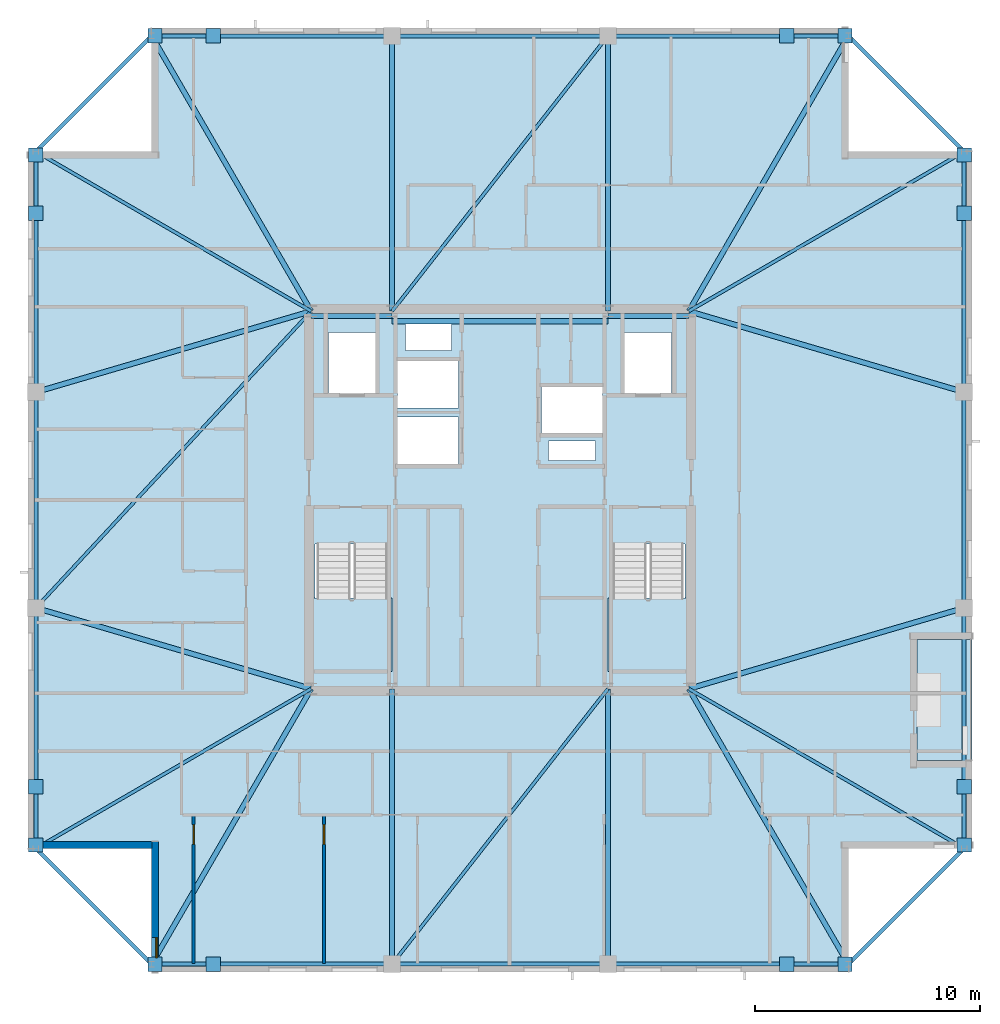
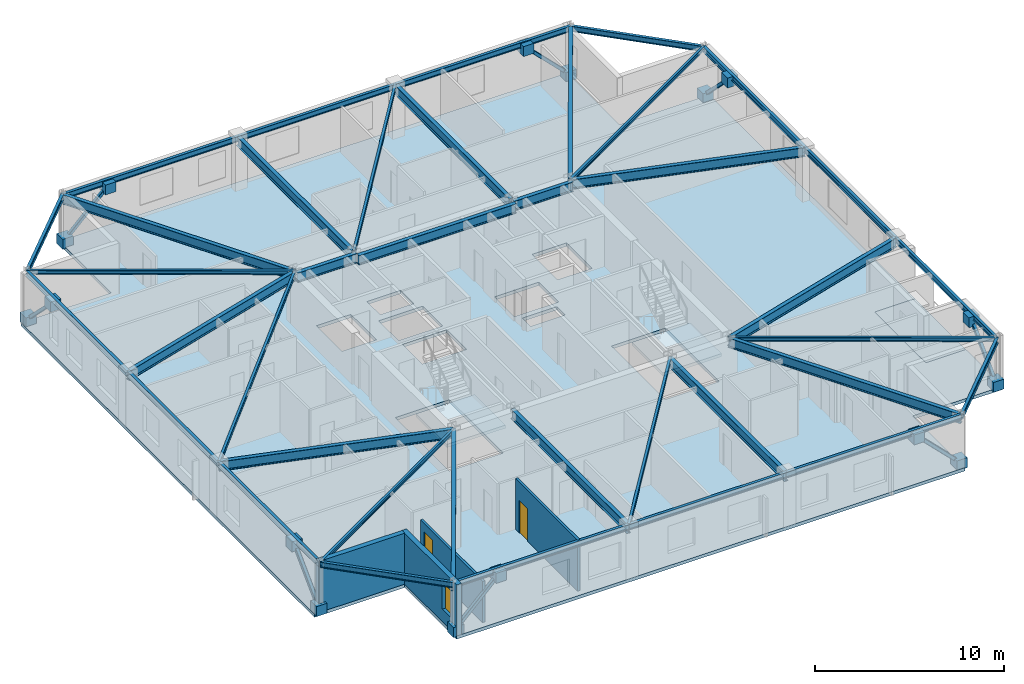
# One storey, part 6 of 14: 38 beams, 16 plates, 8 members, 4 slabs, 4 walls, 2 doors, 1 window, 3 openings, 2 elements without a shape of their own.
"""IFC4 building model written with IfcOpenShell, lengths in metres."""

from ifc_helpers import new_model, si_unit, direction, frame, frame_2d, origin, origin_2d, place, context, subcontext, project, spatial, polyline, rectangle, hollow_rectangle, i_section, outline, extrude, material, layer, layer_set, material_profile, profile_set, type_object, element, fill, aggregate, save


model = new_model("IFC4")

# Units and contexts
model_context = context("Model", 3, precision=1e-05, world=origin(), true_north=direction((0.0, 1.0)))
body_context = subcontext(model_context, "Body", "Model", "MODEL_VIEW")
ifc_project = project(units=[si_unit("LENGTHUNIT", "METRE"), si_unit("AREAUNIT", "SQUARE_METRE"), si_unit("VOLUMEUNIT", "CUBIC_METRE"), si_unit("PLANEANGLEUNIT", "RADIAN"), si_unit("MASSUNIT", "GRAM", prefix="KILO")], contexts=[model_context])

# Site, building, storey
site_placement = place(None, origin())
site = spatial("IfcSite", under=ifc_project, at=site_placement, CompositionType="ELEMENT")
building_placement = place(site_placement, origin())
building = spatial("IfcBuilding", under=site, at=building_placement, Name="Cairnveth Concourse Tower", CompositionType="ELEMENT")
storey_placement = place(building_placement, frame((0.0, 0.0, 294.5)))
storey = spatial("IfcBuildingStorey", under=building, at=storey_placement, Name="L81", CompositionType="ELEMENT", Elevation=294.5)

# Beams
ifc_material_1 = material(Name="Steel Grade 350", Category="steel")
ifc_material_profile_1 = material_profile(ifc_material_1, i_section(OverallWidth=0.22802734375, OverallDepth=0.60693359375, WebThickness=0.01123046875, FlangeThickness=0.017333984375, FilletRadius=0.013916015625, at=origin_2d()), Name="610UB113")
ifc_profile_set_1 = profile_set([ifc_material_profile_1], Name="Steel Grade 350")
beam_type_1 = type_object("IfcBeamType", Name="CORE TIE BEAM 610UB113", PredefinedType="T_BEAM", material=ifc_profile_set_1)
for number, where, z_axis, x_axis, name in (
    (1, (43.60009765625, 47.179931640625, 2.986572265625), (1.0, 0.0, 0.0), (0.0, 1.0, 0.0), "Beam CT-N1 L81"),
    (2, (56.800048828125, 47.179931640625, 2.986572265625), (1.0, 0.0, 0.0), (0.0, 1.0, 0.0), "Beam CT-N3 L81"),
):
    element("IfcBeam", number, at=place(storey_placement, frame(where, z_axis=z_axis, x_axis=x_axis)), inside=storey, type_object=beam_type_1, Name=name, PredefinedType="T_BEAM", context=body_context, shape_type="SweptSolid", body=[
        extrude(i_section(OverallWidth=0.22802734375, OverallDepth=0.60693359375, WebThickness=0.01123046875, FlangeThickness=0.017333984375, FilletRadius=0.013916015625, at=origin_2d()), origin(), (0.0, 0.0, 1.0), 3.599853515625),
    ])
beam_1_placement = place(storey_placement, frame((47.199951171875, 46.949951171875, 2.986572265625), z_axis=(1.0, 0.0, 0.0), x_axis=(0.0, 1.0, 0.0)))
element("IfcBeam", 3, at=beam_1_placement, inside=storey, type_object=beam_type_1, Name="Beam CT-N2 L81", PredefinedType="T_BEAM", context=body_context, shape_type="SweptSolid", body=[
    extrude(i_section(OverallWidth=0.22802734375, OverallDepth=0.60693359375, WebThickness=0.01123046875, FlangeThickness=0.017333984375, FilletRadius=0.013916015625, at=origin_2d()), origin(), (0.0, 0.0, 1.0), 9.60009765625),
])
ifc_material_profile_2 = material_profile(ifc_material_1, i_section(OverallWidth=0.14599609375, OverallDepth=0.256103515625, WebThickness=0.00634765625, FlangeThickness=0.010986328125, FilletRadius=0.009033203125, at=origin_2d()), Name="250UB37.3")
ifc_profile_set_2 = profile_set([ifc_material_profile_2], Name="Steel Grade 350")
beam_type_2 = type_object("IfcBeamType", Name="ZONE 4 FLOOR JOIST 250UB37.3", PredefinedType="JOIST", material=ifc_profile_set_2)
for number, where, z_axis, x_axis, name in (
    (4, (31.35009765625, 23.5, 3.162109375), (0.86518141842, 0.501458984584, 0.0), (-0.501458984584, 0.86518141842, 0.0), "Beam FJ-CSW2 L81"),
    (5, (72.64990234375, 23.5, 3.162109375), (-0.86518141842, 0.501458984584, 0.0), (-0.501458984584, -0.86518141842, 0.0), "Beam FJ-CSE2 L81"),
    (6, (72.64990234375, 54.5, 3.162109375), (-0.86518141842, -0.501458984584, 0.0), (0.501458984584, -0.86518141842, 0.0), "Beam FJ-CNE2 L81"),
    (7, (31.35009765625, 54.5, 3.162109375), (0.86518141842, -0.501458984584, 0.0), (0.501458984584, 0.86518141842, 0.0), "Beam FJ-CNW2 L81"),
):
    element("IfcBeam", number, at=place(storey_placement, frame(where, z_axis=z_axis, x_axis=x_axis)), inside=storey, type_object=beam_type_2, Name=name, PredefinedType="JOIST", context=body_context, shape_type="SweptSolid", body=[
        extrude(i_section(OverallWidth=0.14599609375, OverallDepth=0.256103515625, WebThickness=0.00634765625, FlangeThickness=0.010986328125, FilletRadius=0.009033203125, at=origin_2d()), origin(), (0.0, 0.0, 1.0), 14.158935546875),
    ])
for number, where, z_axis, x_axis, name in (
    (8, (47.199951171875, 18.35009765625, 3.162109375), (0.616831762718, 0.787095023807, 0.0), (-0.787095023807, 0.616831762718, 0.0), "Beam FJ-S-M1 L81"),
    (9, (47.199951171875, 47.39990234375, 3.162109375), (0.616831762718, 0.787095023807, 0.0), (-0.787095023807, 0.616831762718, 0.0), "Beam FJ-N-M1 L81"),
):
    element("IfcBeam", number, at=place(storey_placement, frame(where, z_axis=z_axis, x_axis=x_axis)), inside=storey, type_object=beam_type_2, Name=name, PredefinedType="JOIST", context=body_context, shape_type="SweptSolid", body=[
        extrude(i_section(OverallWidth=0.14599609375, OverallDepth=0.256103515625, WebThickness=0.00634765625, FlangeThickness=0.010986328125, FilletRadius=0.009033203125, at=origin_2d()), origin(), (0.0, 0.0, 1.0), 15.5634765625),
    ])
beam_2_placement = place(storey_placement, frame((31.35009765625, 34.199951171875, 3.162109375), z_axis=(0.680239432161, 0.732989982833, 0.0), x_axis=(-0.732989982833, 0.680239432161, 0.0)))
element("IfcBeam", 10, at=beam_2_placement, inside=storey, type_object=beam_type_2, Name="Beam FJ-W-M1 L81", PredefinedType="JOIST", context=body_context, shape_type="SweptSolid", body=[
    extrude(i_section(OverallWidth=0.14599609375, OverallDepth=0.256103515625, WebThickness=0.00634765625, FlangeThickness=0.010986328125, FilletRadius=0.009033203125, at=origin_2d()), origin(), (0.0, 0.0, 1.0), 18.00830078125),
])

# Members
ifc_material_2 = material(Name="Steel C350L0 (350 MPa)", Category="steel")
ifc_material_profile_3 = material_profile(ifc_material_2, hollow_rectangle(XDim=0.199951171875, YDim=0.199951171875, WallThickness=0.012451171875, InnerFilletRadius=0.012939453125, OuterFilletRadius=0.02490234375, at=origin_2d()), Name="200x200x12.5SHS")
ifc_profile_set_3 = profile_set([ifc_material_profile_3], Name="Steel C350L0 (350 MPa)")
member_type = type_object("IfcMemberType", Name="ZONE 4 PIER BRACE 200X200X12.5SHS", PredefinedType="BRACE", material=ifc_profile_set_3)
for number, where, z_axis, x_axis, name in (
    (11, (36.64990234375, 18.35009765625, 0.25), (0.708469186186, 0.0, 0.705741746126), (0.0, 1.0, 0.0), "Structural Brace PB-S1 L81"),
    (12, (67.35009765625, 18.35009765625, 0.25), (-0.708469186186, 0.0, 0.705741746126), (0.0, -1.0, 0.0), "Structural Brace PB-S2 L81"),
    (13, (36.64990234375, 59.64990234375, 0.25), (0.708469186186, 0.0, 0.705741746126), (0.0, 1.0, 0.0), "Structural Brace PB-N1 L81"),
    (14, (67.35009765625, 59.64990234375, 0.25), (-0.708469186186, 0.0, 0.705741746126), (0.0, -1.0, 0.0), "Structural Brace PB-N2 L81"),
    (15, (31.35009765625, 23.64990234375, 0.25), (0.0, 0.708469186186, 0.705741746126), (-1.0, 0.0, 0.0), "Structural Brace PB-W1 L81"),
    (16, (31.35009765625, 54.35009765625, 0.25), (0.0, -0.708469186186, 0.705741746126), (1.0, 0.0, 0.0), "Structural Brace PB-W2 L81"),
    (17, (72.64990234375, 23.64990234375, 0.25), (0.0, 0.708469186186, 0.705741746126), (-1.0, 0.0, 0.0), "Structural Brace PB-E1 L81"),
    (18, (72.64990234375, 54.35009765625, 0.25), (0.0, -0.708469186186, 0.705741746126), (1.0, 0.0, 0.0), "Structural Brace PB-E2 L81"),
):
    element("IfcMember", number, at=place(storey_placement, frame(where, z_axis=z_axis, x_axis=x_axis)), inside=storey, type_object=member_type, Name=name, PredefinedType="BRACE", context=body_context, shape_type="SweptSolid", body=[
        extrude(hollow_rectangle(XDim=0.199951171875, YDim=0.199951171875, WallThickness=0.012451171875, InnerFilletRadius=0.012939453125, OuterFilletRadius=0.02490234375, at=origin_2d()), origin(), (0.0, 0.0, 1.0), 3.669921875),
    ])

# Beams
ifc_material_profile_4 = material_profile(ifc_material_1, i_section(OverallWidth=0.22900390625, OverallDepth=0.612060546875, WebThickness=0.011962890625, FlangeThickness=0.01953125, FilletRadius=0.013916015625, at=origin_2d()), Name="610UB125")
ifc_profile_set_4 = profile_set([ifc_material_profile_4], Name="Steel Grade 350")
beam_type_3 = type_object("IfcBeamType", Name="ZONE 4 RADIAL GIRDER 610UB125", PredefinedType="BEAM", material=ifc_profile_set_4)
for number, where, z_axis, x_axis, name in (
    (19, (47.199951171875, 18.35009765625, 2.98388671875), (0.0, 1.0, 0.0), (-1.0, 0.0, 0.0), "Beam RG-S1 L81"),
    (20, (56.800048828125, 18.35009765625, 2.98388671875), (0.0, 1.0, 0.0), (-1.0, 0.0, 0.0), "Beam RG-S2 L81"),
    (21, (47.199951171875, 47.39990234375, 2.98388671875), (0.0, 1.0, 0.0), (-1.0, 0.0, 0.0), "Beam RG-N1 L81"),
    (22, (56.800048828125, 47.39990234375, 2.98388671875), (0.0, 1.0, 0.0), (-1.0, 0.0, 0.0), "Beam RG-N2 L81"),
):
    element("IfcBeam", number, at=place(storey_placement, frame(where, z_axis=z_axis, x_axis=x_axis)), inside=storey, type_object=beam_type_3, Name=name, PredefinedType="BEAM", context=body_context, shape_type="SweptSolid", body=[
        extrude(i_section(OverallWidth=0.22900390625, OverallDepth=0.612060546875, WebThickness=0.011962890625, FlangeThickness=0.01953125, FilletRadius=0.013916015625, at=origin_2d()), origin(), (0.0, 0.0, 1.0), 12.25),
    ])
for number, where, z_axis, x_axis, name in (
    (23, (31.35009765625, 34.199951171875, 2.98388671875), (0.959430938842, -0.281943741893, 0.0), (0.281943741893, 0.959430938842, 0.0), "Beam RG-W1 L81"),
    (24, (31.35009765625, 43.800048828125, 2.98388671875), (0.959430938842, 0.281943741893, 0.0), (-0.281943741893, 0.959430938842, 0.0), "Beam RG-W2 L81"),
    (25, (60.39990234375, 30.60009765625, 2.98388671875), (0.959430938842, 0.281943741893, 0.0), (-0.281943741893, 0.959430938842, 0.0), "Beam RG-E1 L81"),
    (26, (60.39990234375, 47.39990234375, 2.98388671875), (0.959430938842, -0.281943741893, 0.0), (0.281943741893, 0.959430938842, 0.0), "Beam RG-E2 L81"),
):
    element("IfcBeam", number, at=place(storey_placement, frame(where, z_axis=z_axis, x_axis=x_axis)), inside=storey, type_object=beam_type_3, Name=name, PredefinedType="BEAM", context=body_context, shape_type="SweptSolid", body=[
        extrude(i_section(OverallWidth=0.22900390625, OverallDepth=0.612060546875, WebThickness=0.011962890625, FlangeThickness=0.01953125, FilletRadius=0.013916015625, at=origin_2d()), origin(), (0.0, 0.0, 1.0), 12.76806640625),
    ])
for number, where, z_axis, x_axis, name in (
    (27, (36.5, 18.35009765625, 2.98388671875), (0.501458984584, 0.86518141842, 0.0), (-0.86518141842, 0.501458984584, 0.0), "Beam RG-CSW L81"),
    (28, (67.5, 18.35009765625, 2.98388671875), (-0.501458984584, 0.86518141842, 0.0), (-0.86518141842, -0.501458984584, 0.0), "Beam RG-CSE L81"),
    (29, (67.5, 59.64990234375, 2.98388671875), (-0.501458984584, -0.86518141842, 0.0), (0.86518141842, -0.501458984584, 0.0), "Beam RG-CNE L81"),
    (30, (36.5, 59.64990234375, 2.98388671875), (0.501458984584, -0.86518141842, 0.0), (0.86518141842, 0.501458984584, 0.0), "Beam RG-CNW L81"),
):
    element("IfcBeam", number, at=place(storey_placement, frame(where, z_axis=z_axis, x_axis=x_axis)), inside=storey, type_object=beam_type_3, Name=name, PredefinedType="BEAM", context=body_context, shape_type="SweptSolid", body=[
        extrude(i_section(OverallWidth=0.22900390625, OverallDepth=0.612060546875, WebThickness=0.011962890625, FlangeThickness=0.01953125, FilletRadius=0.013916015625, at=origin_2d()), origin(), (0.0, 0.0, 1.0), 14.158935546875),
    ])
ifc_material_profile_5 = material_profile(ifc_material_1, i_section(OverallWidth=0.172119140625, OverallDepth=0.35888671875, WebThickness=0.008056640625, FlangeThickness=0.012939453125, FilletRadius=0.010986328125, at=origin_2d()), Name="360UB56.7")
ifc_profile_set_5 = profile_set([ifc_material_profile_5], Name="Steel Grade 350")
beam_type_4 = type_object("IfcBeamType", Name="ZONE 4 SPANDREL BEAM 360UB56.7", PredefinedType="SPANDREL", material=ifc_profile_set_5)
beam_3_placement = place(storey_placement, frame((36.5, 18.35009765625, 3.110595703125), z_axis=(1.0, 0.0, 0.0), x_axis=(0.0, 1.0, 0.0)))
element("IfcBeam", 31, at=beam_3_placement, inside=storey, type_object=beam_type_4, Name="Beam SP-S1 L81", PredefinedType="SPANDREL", context=body_context, shape_type="SweptSolid", body=[
    extrude(i_section(OverallWidth=0.172119140625, OverallDepth=0.35888671875, WebThickness=0.008056640625, FlangeThickness=0.012939453125, FilletRadius=0.010986328125, at=origin_2d()), origin(), (0.0, 0.0, 1.0), 10.699951171875),
])
beam_4_placement = place(storey_placement, frame((47.199951171875, 18.35009765625, 3.110595703125), z_axis=(1.0, 0.0, 0.0), x_axis=(0.0, 1.0, 0.0)))
element("IfcBeam", 32, at=beam_4_placement, inside=storey, type_object=beam_type_4, Name="Beam SP-S2 L81", PredefinedType="SPANDREL", context=body_context, shape_type="SweptSolid", body=[
    extrude(i_section(OverallWidth=0.172119140625, OverallDepth=0.35888671875, WebThickness=0.008056640625, FlangeThickness=0.012939453125, FilletRadius=0.010986328125, at=origin_2d()), origin(), (0.0, 0.0, 1.0), 9.60009765625),
])
for number, where, z_axis, x_axis, name in (
    (33, (56.800048828125, 18.35009765625, 3.110595703125), (1.0, 0.0, 0.0), (0.0, 1.0, 0.0), "Beam SP-S3 L81"),
    (34, (36.5, 59.64990234375, 3.110595703125), (1.0, 0.0, 0.0), (0.0, 1.0, 0.0), "Beam SP-N1 L81"),
):
    element("IfcBeam", number, at=place(storey_placement, frame(where, z_axis=z_axis, x_axis=x_axis)), inside=storey, type_object=beam_type_4, Name=name, PredefinedType="SPANDREL", context=body_context, shape_type="SweptSolid", body=[
        extrude(i_section(OverallWidth=0.172119140625, OverallDepth=0.35888671875, WebThickness=0.008056640625, FlangeThickness=0.012939453125, FilletRadius=0.010986328125, at=origin_2d()), origin(), (0.0, 0.0, 1.0), 10.699951171875),
    ])
beam_5_placement = place(storey_placement, frame((47.199951171875, 59.64990234375, 3.110595703125), z_axis=(1.0, 0.0, 0.0), x_axis=(0.0, 1.0, 0.0)))
element("IfcBeam", 35, at=beam_5_placement, inside=storey, type_object=beam_type_4, Name="Beam SP-N2 L81", PredefinedType="SPANDREL", context=body_context, shape_type="SweptSolid", body=[
    extrude(i_section(OverallWidth=0.172119140625, OverallDepth=0.35888671875, WebThickness=0.008056640625, FlangeThickness=0.012939453125, FilletRadius=0.010986328125, at=origin_2d()), origin(), (0.0, 0.0, 1.0), 9.60009765625),
])
for number, where, z_axis, x_axis, name in (
    (36, (56.800048828125, 59.64990234375, 3.110595703125), (1.0, 0.0, 0.0), (0.0, 1.0, 0.0), "Beam SP-N3 L81"),
    (37, (31.35009765625, 23.5, 3.110595703125), (0.0, 1.0, 0.0), (-1.0, 0.0, 0.0), "Beam SP-W1 L81"),
):
    element("IfcBeam", number, at=place(storey_placement, frame(where, z_axis=z_axis, x_axis=x_axis)), inside=storey, type_object=beam_type_4, Name=name, PredefinedType="SPANDREL", context=body_context, shape_type="SweptSolid", body=[
        extrude(i_section(OverallWidth=0.172119140625, OverallDepth=0.35888671875, WebThickness=0.008056640625, FlangeThickness=0.012939453125, FilletRadius=0.010986328125, at=origin_2d()), origin(), (0.0, 0.0, 1.0), 10.699951171875),
    ])
beam_6_placement = place(storey_placement, frame((31.35009765625, 34.199951171875, 3.110595703125), z_axis=(0.0, 1.0, 0.0), x_axis=(-1.0, 0.0, 0.0)))
element("IfcBeam", 38, at=beam_6_placement, inside=storey, type_object=beam_type_4, Name="Beam SP-W2 L81", PredefinedType="SPANDREL", context=body_context, shape_type="SweptSolid", body=[
    extrude(i_section(OverallWidth=0.172119140625, OverallDepth=0.35888671875, WebThickness=0.008056640625, FlangeThickness=0.012939453125, FilletRadius=0.010986328125, at=origin_2d()), origin(), (0.0, 0.0, 1.0), 9.60009765625),
])
for number, where, z_axis, x_axis, name in (
    (39, (31.35009765625, 43.800048828125, 3.110595703125), (0.0, 1.0, 0.0), (-1.0, 0.0, 0.0), "Beam SP-W3 L81"),
    (40, (72.64990234375, 23.5, 3.110595703125), (0.0, 1.0, 0.0), (-1.0, 0.0, 0.0), "Beam SP-E1 L81"),
):
    element("IfcBeam", number, at=place(storey_placement, frame(where, z_axis=z_axis, x_axis=x_axis)), inside=storey, type_object=beam_type_4, Name=name, PredefinedType="SPANDREL", context=body_context, shape_type="SweptSolid", body=[
        extrude(i_section(OverallWidth=0.172119140625, OverallDepth=0.35888671875, WebThickness=0.008056640625, FlangeThickness=0.012939453125, FilletRadius=0.010986328125, at=origin_2d()), origin(), (0.0, 0.0, 1.0), 10.699951171875),
    ])
beam_7_placement = place(storey_placement, frame((72.64990234375, 34.199951171875, 3.110595703125), z_axis=(0.0, 1.0, 0.0), x_axis=(-1.0, 0.0, 0.0)))
element("IfcBeam", 41, at=beam_7_placement, inside=storey, type_object=beam_type_4, Name="Beam SP-E2 L81", PredefinedType="SPANDREL", context=body_context, shape_type="SweptSolid", body=[
    extrude(i_section(OverallWidth=0.172119140625, OverallDepth=0.35888671875, WebThickness=0.008056640625, FlangeThickness=0.012939453125, FilletRadius=0.010986328125, at=origin_2d()), origin(), (0.0, 0.0, 1.0), 9.60009765625),
])
beam_8_placement = place(storey_placement, frame((72.64990234375, 43.800048828125, 3.110595703125), z_axis=(0.0, 1.0, 0.0), x_axis=(-1.0, 0.0, 0.0)))
element("IfcBeam", 42, at=beam_8_placement, inside=storey, type_object=beam_type_4, Name="Beam SP-E3 L81", PredefinedType="SPANDREL", context=body_context, shape_type="SweptSolid", body=[
    extrude(i_section(OverallWidth=0.172119140625, OverallDepth=0.35888671875, WebThickness=0.008056640625, FlangeThickness=0.012939453125, FilletRadius=0.010986328125, at=origin_2d()), origin(), (0.0, 0.0, 1.0), 10.699951171875),
])
for number, where, z_axis, x_axis, name in (
    (43, (31.35009765625, 23.5, 3.110595703125), (0.707106781187, -0.707106781187, 0.0), (0.707106781187, 0.707106781187, 0.0), "Beam SP-SW L81"),
    (44, (67.5, 18.35009765625, 3.110595703125), (0.707106781187, 0.707106781187, 0.0), (-0.707106781187, 0.707106781187, 0.0), "Beam SP-SE L81"),
    (45, (67.5, 59.64990234375, 3.110595703125), (0.707106781187, -0.707106781187, 0.0), (0.707106781187, 0.707106781187, 0.0), "Beam SP-NE L81"),
    (46, (31.35009765625, 54.5, 3.110595703125), (0.707106781187, 0.707106781187, 0.0), (-0.707106781187, 0.707106781187, 0.0), "Beam SP-NW L81"),
):
    element("IfcBeam", number, at=place(storey_placement, frame(where, z_axis=z_axis, x_axis=x_axis)), inside=storey, type_object=beam_type_4, Name=name, PredefinedType="SPANDREL", context=body_context, shape_type="SweptSolid", body=[
        extrude(i_section(OverallWidth=0.172119140625, OverallDepth=0.35888671875, WebThickness=0.008056640625, FlangeThickness=0.012939453125, FilletRadius=0.010986328125, at=origin_2d()), origin(), (0.0, 0.0, 1.0), 7.282958984375),
    ])

# Plates
ifc_layer_1 = layer(ifc_material_1, 0.031982421875)
ifc_layer_set_1 = layer_set([ifc_layer_1], Name="Steel Grade 350")
plate_type = type_object("IfcPlateType", Name="PERIMETER BRACE GUSSET PLATE 32", PredefinedType="USERDEFINED", material=ifc_layer_set_1)
for number, where, z_axis, x_axis, name in (
    (47, (36.64990234375, 18.35009765625, -0.06982421875), (0.0, 0.0, 1.0), (1.0, 0.0, 0.0), "Structural Node Plate 1433 L81"),
    (48, (39.25, 18.35009765625, 2.52001953125), (0.0, 0.0, 1.0), (1.0, 0.0, 0.0), "Structural Node Plate 1434 L81"),
    (49, (67.35009765625, 18.35009765625, -0.06982421875), (0.0, 0.0, 1.0), (1.0, 0.0, 0.0), "Structural Node Plate 1435 L81"),
    (50, (64.75, 18.35009765625, 2.52001953125), (0.0, 0.0, 1.0), (1.0, 0.0, 0.0), "Structural Node Plate 1436 L81"),
    (51, (36.64990234375, 59.64990234375, -0.06982421875), (0.0, 0.0, 1.0), (1.0, 0.0, 0.0), "Structural Node Plate 1437 L81"),
    (52, (39.25, 59.64990234375, 2.52001953125), (0.0, 0.0, 1.0), (1.0, 0.0, 0.0), "Structural Node Plate 1438 L81"),
    (53, (67.35009765625, 59.64990234375, -0.06982421875), (0.0, 0.0, 1.0), (1.0, 0.0, 0.0), "Structural Node Plate 1439 L81"),
    (54, (64.75, 59.64990234375, 2.52001953125), (0.0, 0.0, 1.0), (1.0, 0.0, 0.0), "Structural Node Plate 1440 L81"),
    (55, (31.35009765625, 23.64990234375, -0.06982421875), (0.0, 0.0, 1.0), (1.0, 0.0, 0.0), "Structural Node Plate 1441 L81"),
    (56, (31.35009765625, 26.25, 2.52001953125), (0.0, 0.0, 1.0), (1.0, 0.0, 0.0), "Structural Node Plate 1442 L81"),
    (57, (31.35009765625, 54.35009765625, -0.06982421875), (0.0, 0.0, 1.0), (1.0, 0.0, 0.0), "Structural Node Plate 1443 L81"),
    (58, (31.35009765625, 51.75, 2.52001953125), (0.0, 0.0, 1.0), (1.0, 0.0, 0.0), "Structural Node Plate 1444 L81"),
    (59, (72.64990234375, 23.64990234375, -0.06982421875), (0.0, 0.0, 1.0), (1.0, 0.0, 0.0), "Structural Node Plate 1445 L81"),
    (60, (72.64990234375, 26.25, 2.52001953125), (0.0, 0.0, 1.0), (1.0, 0.0, 0.0), "Structural Node Plate 1446 L81"),
    (61, (72.64990234375, 54.35009765625, -0.06982421875), (0.0, 0.0, 1.0), (1.0, 0.0, 0.0), "Structural Node Plate 1447 L81"),
    (62, (72.64990234375, 51.75, 2.52001953125), (0.0, 0.0, 1.0), (1.0, 0.0, 0.0), "Structural Node Plate 1448 L81"),
):
    element("IfcPlate", number, at=place(storey_placement, frame(where, z_axis=z_axis, x_axis=x_axis)), inside=storey, type_object=plate_type, Name=name, ObjectType="GUSSET PLATE", PredefinedType="USERDEFINED", context=body_context, shape_type="SweptSolid", body=[
        extrude(rectangle(XDim=0.639892578125, YDim=0.639892578125, at=origin_2d()), origin(), (0.0, 0.0, 1.0), 0.639892578125),
    ])

# Slab
ifc_material_3 = material(Name="Concrete N50 (50 MPa)", Category="concrete")
ifc_layer_2 = layer(ifc_material_3, 0.18994140625)
ifc_layer_set_2 = layer_set([ifc_layer_2], Name="Concrete N50 (50 MPa)")
slab_type_1 = type_object("IfcSlabType", Name="SPIRAL OUTDOOR TERRACE SLAB 190", PredefinedType="FLOOR", material=ifc_layer_set_2)
slab_1_placement = place(storey_placement, frame((0.0, 0.0, -0.18994140625)))
element("IfcSlab", 63, at=slab_1_placement, inside=storey, type_object=slab_type_1, Name="Spiral Terrace Slab L81", PredefinedType="FLOOR", context=body_context, shape_type="SweptSolid", body=[
    extrude(outline(polyline([(70.550048828125, 27.39990234375), (73.0, 27.39990234375), (73.0, 32.800048828125), (70.550048828125, 32.800048828125), (70.550048828125, 27.39990234375)])), origin(), (0.0, 0.0, 1.0), 0.18994140625),
])

# Stair, slab
ifc_material_4 = material(Name="Precast concrete N50 (50 MPa)", Category="concrete")
stair_type = type_object("IfcStairType", Name="CORE DOG-LEG FIRE STAIR 1500", PredefinedType="HALF_TURN_STAIR", material=ifc_material_4)
stair_1_placement = place(storey_placement, origin())
stair_1 = element("IfcStair", 64, at=stair_1_placement, inside=storey, type_object=stair_type, Name="L81 Fire-Isolated Stair ST-1", PredefinedType="HALF_TURN_STAIR")
ifc_layer_3 = layer(ifc_material_3, 0.199951171875)
ifc_layer_set_3 = layer_set([ifc_layer_3], Name="Concrete N50 (50 MPa)")
slab_type_2 = type_object("IfcSlabType", Name="STAIR HALF LANDING SLAB 200", PredefinedType="LANDING", material=ifc_layer_set_3)
slab_2_placement = place(storey_placement, frame((0.0, 0.0, 1.550048828125)))
slab_2 = element("IfcSlab", 65, at=slab_2_placement, type_object=slab_type_2, Name="ST-1 landing 1", PredefinedType="LANDING", context=body_context, shape_type="SweptSolid", body=[
    extrude(outline(polyline([(43.6201171875, 34.639892578125), (43.6201171875, 31.3701171875), (47.199951171875, 31.3701171875), (47.199951171875, 34.639892578125), (43.6201171875, 34.639892578125)])), origin(), (0.0, 0.0, 1.0), 0.199951171875),
])
aggregate(stair_1, [slab_2])

stair_2_placement = place(storey_placement, origin())
stair_2 = element("IfcStair", 66, at=stair_2_placement, inside=storey, type_object=stair_type, Name="L81 Fire-Isolated Stair ST-2", PredefinedType="HALF_TURN_STAIR")
slab_3_placement = place(storey_placement, frame((0.0, 0.0, 1.550048828125)))
slab_3 = element("IfcSlab", 67, at=slab_3_placement, type_object=slab_type_2, Name="ST-2 landing 1", PredefinedType="LANDING", context=body_context, shape_type="SweptSolid", body=[
    extrude(outline(polyline([(56.800048828125, 34.639892578125), (56.800048828125, 31.3701171875), (60.3798828125, 31.3701171875), (60.3798828125, 34.639892578125), (56.800048828125, 34.639892578125)])), origin(), (0.0, 0.0, 1.0), 0.199951171875),
])
aggregate(stair_2, [slab_3])

# Slab
ifc_layer_4 = layer(ifc_material_3, 0.2099609375)
ifc_layer_set_4 = layer_set([ifc_layer_4], Name="Concrete N50 (50 MPa)")
slab_type_3 = type_object("IfcSlabType", Name="UPPER TOWER COMPOSITE SLAB 210", PredefinedType="FLOOR", material=ifc_layer_set_4)
slab_4_placement = place(storey_placement, frame((0.0, 0.0, -0.2099609375)))
element("IfcSlab", 68, at=slab_4_placement, inside=storey, type_object=slab_type_3, Name="Tower Floor Slab L81", PredefinedType="FLOOR", context=body_context, shape_type="SweptSolid", body=[
    extrude(outline(polyline([(73.0, 27.39990234375), (70.550048828125, 27.39990234375), (70.550048828125, 32.800048828125), (73.0, 32.800048828125), (73.0, 54.5), (67.5, 54.5), (67.5, 60.0), (36.5, 60.0), (36.5, 54.5), (31.0, 54.5), (31.0, 23.5), (36.5, 23.5), (36.5, 18.0), (67.5, 18.0), (67.5, 23.5), (73.0, 23.5), (73.0, 27.39990234375)]), holes=[polyline([(43.760009765625, 31.360107421875), (47.06005859375, 31.360107421875), (47.06005859375, 37.0400390625), (43.760009765625, 37.0400390625), (43.760009765625, 31.360107421875)]), polyline([(56.93994140625, 31.360107421875), (60.239990234375, 31.360107421875), (60.239990234375, 37.0400390625), (56.93994140625, 37.0400390625), (56.93994140625, 31.360107421875)]), polyline([(44.3701171875, 43.75), (46.469970703125, 43.75), (46.469970703125, 46.449951171875), (44.3701171875, 46.449951171875), (44.3701171875, 43.75)]), polyline([(57.530029296875, 43.75), (59.6298828125, 43.75), (59.6298828125, 46.449951171875), (57.530029296875, 46.449951171875), (57.530029296875, 43.75)]), polyline([(47.449951171875, 40.60009765625), (50.14990234375, 40.60009765625), (50.14990234375, 42.699951171875), (47.449951171875, 42.699951171875), (47.449951171875, 40.60009765625)]), polyline([(47.449951171875, 43.10009765625), (50.14990234375, 43.10009765625), (50.14990234375, 45.199951171875), (47.449951171875, 45.199951171875), (47.449951171875, 43.10009765625)]), polyline([(53.85009765625, 41.949951171875), (56.550048828125, 41.949951171875), (56.550048828125, 44.050048828125), (53.85009765625, 44.050048828125), (53.85009765625, 41.949951171875)]), polyline([(47.800048828125, 45.64990234375), (49.85009765625, 45.64990234375), (49.85009765625, 47.050048828125), (47.800048828125, 47.050048828125), (47.800048828125, 45.64990234375)]), polyline([(54.14990234375, 40.75), (56.25, 40.75), (56.25, 41.6201171875), (54.14990234375, 41.6201171875), (54.14990234375, 40.75)])]), origin(), (0.0, 0.0, 1.0), 0.2099609375),
])

# Wall, opening, door
ifc_material_5 = material(Name="Gypsum Plasterboard Partition", Category="gypsum")
ifc_layer_5 = layer(ifc_material_5, 0.139892578125)
ifc_layer_set_5 = layer_set([ifc_layer_5], Name="Gypsum Plasterboard Partition")
wall_type_1 = type_object("IfcWallType", Name="GYPSUM STUD PARTITION 140", PredefinedType="PARTITIONING", material=ifc_layer_set_5)
wall_1_placement = place(storey_placement, frame((38.3701171875, 18.3798828125, 0.0), z_axis=(0.0, 0.0, 1.0), x_axis=(0.0, 1.0, 0.0)))
wall_1 = element("IfcWall", 69, at=wall_1_placement, inside=storey, type_object=wall_type_1, Name="Interior Wall IW-L81-050", PredefinedType="PARTITIONING", context=body_context, shape_type="SweptSolid", body=[
    extrude(rectangle(XDim=6.5625, YDim=0.139892578125, at=frame_2d((3.28125, 0.0))), origin(), (0.0, 0.0, 1.0), 2.653076171875),
])
opening_1_placement = place(wall_1_placement, frame((5.302490234375, 0.0, 0.0)))
opening_1 = element("IfcOpeningElement", 70, at=opening_1_placement, cuts=wall_1, Name="Opening ID18", PredefinedType="OPENING", context=body_context, shape_type="SweptSolid", body=[
    extrude(rectangle(XDim=0.8798828125, YDim=2.10009765625, at=frame_2d((0.43994140625, 1.050048828125))), frame((0.0, 0.079833984375, 0.0), z_axis=(0.0, -1.0, 0.0), x_axis=(1.0, 0.0, 0.0)), (0.0, 0.0, 1.0), 0.159912109375),
])
ifc_material_6 = material(Name="Solid Core Hardwood Timber Leaf", Category="wood")
door_type = type_object("IfcDoorType", Name="INTERIOR SINGLE DOOR 880X2100", OperationType="NOTDEFINED", PredefinedType="DOOR", material=ifc_material_6)
door_1_placement = place(opening_1_placement, origin())
door_1 = element("IfcDoor", 71, at=door_1_placement, inside=storey, type_object=door_type, Name="L81PS1 Master Bedroom Door", OperationType="SINGLE_SWING_RIGHT", OverallHeight=2.10009765625, OverallWidth=0.8798828125, PredefinedType="DOOR", context=body_context, shape_type="SweptSolid", body=[
    extrude(rectangle(XDim=0.8798828125, YDim=2.10009765625, at=frame_2d((0.43994140625, 1.050048828125))), frame((0.0, 0.02490234375, 0.0), z_axis=(0.0, -1.0, 0.0), x_axis=(1.0, 0.0, 0.0)), (0.0, 0.0, 1.0), 0.050048828125),
])
fill(opening_1, door_1)

wall_2_placement = place(storey_placement, frame((44.169921875, 18.3798828125, 0.0), z_axis=(0.0, 0.0, 1.0), x_axis=(0.0, 1.0, 0.0)))
wall_2 = element("IfcWall", 72, at=wall_2_placement, inside=storey, type_object=wall_type_1, Name="Interior Wall IW-L81-053", PredefinedType="PARTITIONING", context=body_context, shape_type="SweptSolid", body=[
    extrude(rectangle(XDim=6.5625, YDim=0.139892578125, at=frame_2d((3.28125, 0.0))), origin(), (0.0, 0.0, 1.0), 3.2900390625),
])
opening_2_placement = place(wall_2_placement, frame((5.302490234375, 0.0, 0.0)))
opening_2 = element("IfcOpeningElement", 73, at=opening_2_placement, cuts=wall_2, Name="Opening ID18", PredefinedType="OPENING", context=body_context, shape_type="SweptSolid", body=[
    extrude(rectangle(XDim=0.8798828125, YDim=2.10009765625, at=frame_2d((0.43994140625, 1.050048828125))), frame((0.0, 0.079833984375, 0.0), z_axis=(0.0, -1.0, 0.0), x_axis=(1.0, 0.0, 0.0)), (0.0, 0.0, 1.0), 0.159912109375),
])
door_2_placement = place(opening_2_placement, origin())
door_2 = element("IfcDoor", 74, at=door_2_placement, inside=storey, type_object=door_type, Name="L81PS1 Media Lounge Door", OperationType="SINGLE_SWING_LEFT", OverallHeight=2.10009765625, OverallWidth=0.8798828125, PredefinedType="DOOR", context=body_context, shape_type="SweptSolid", body=[
    extrude(rectangle(XDim=0.8798828125, YDim=2.10009765625, at=frame_2d((0.43994140625, 1.050048828125))), frame((0.0, 0.02490234375, 0.0), z_axis=(0.0, -1.0, 0.0), x_axis=(1.0, 0.0, 0.0)), (0.0, 0.0, 1.0), 0.050048828125),
])
fill(opening_2, door_2)

# Wall, opening, window
ifc_material_7 = material(Name="Hawthorn Red-Ochre Fired Clay Brick Masonry", Category="masonry")
ifc_layer_6 = layer(ifc_material_7, 0.300048828125)
ifc_layer_set_6 = layer_set([ifc_layer_6], Name="Hawthorn Red-Ochre Fired Clay Brick Masonry")
wall_type_2 = type_object("IfcWallType", Name="ZONE 4 BRICK PIER SPANDREL WALL 300", PredefinedType="SOLIDWALL", material=ifc_layer_set_6)
wall_3_placement = place(storey_placement, frame((36.64990234375, 18.0, 0.0), z_axis=(0.0, 0.0, 1.0), x_axis=(0.0, 1.0, 0.0)))
wall_3 = element("IfcWall", 75, at=wall_3_placement, inside=storey, type_object=wall_type_2, Name="Exterior Wall EW-L81-S04", PredefinedType="SOLIDWALL", context=body_context, shape_type="SweptSolid", body=[
    extrude(rectangle(XDim=5.800048828125, YDim=0.300048828125, at=frame_2d((2.89990234375, 0.0))), origin(), (0.0, 0.0, 1.0), 3.2900390625),
])
opening_3_placement = place(wall_3_placement, frame((0.6298828125, 0.0, 0.800048828125)))
opening_3 = element("IfcOpeningElement", 76, at=opening_3_placement, cuts=wall_3, Name="Opening W13", PredefinedType="OPENING", context=body_context, shape_type="SweptSolid", body=[
    extrude(rectangle(XDim=0.89990234375, YDim=1.75, at=frame_2d((0.449951171875, 0.875))), frame((0.0, 0.159912109375, 0.0), z_axis=(0.0, -1.0, 0.0), x_axis=(1.0, 0.0, 0.0)), (0.0, 0.0, 1.0), 0.320068359375),
])
ifc_material_8 = material(Name="Double Glazed Low-E Clear Glass", Category="glass")
window_type = type_object("IfcWindowType", Name="DEEP-SET BEDROOM LANCET WINDOW 900X1750", PartitioningType="DOUBLE_PANEL_VERTICAL", PredefinedType="WINDOW", material=ifc_material_8)
window_placement = place(opening_3_placement, origin())
window = element("IfcWindow", 77, at=window_placement, inside=storey, type_object=window_type, Name="Dwelling Lancet Window L81-DW1", OverallHeight=1.75, OverallWidth=0.89990234375, PartitioningType="SINGLE_PANEL", PredefinedType="WINDOW", context=body_context, shape_type="SweptSolid", body=[
    extrude(rectangle(XDim=0.89990234375, YDim=1.75, at=frame_2d((0.449951171875, 0.875))), frame((0.0, -0.0400390625, 0.0), z_axis=(0.0, -1.0, 0.0), x_axis=(1.0, 0.0, 0.0)), (0.0, 0.0, 1.0), 0.06005859375),
])
fill(opening_3, window)

# Wall
wall_4_placement = place(storey_placement, frame((36.52197265625, 23.64990234375, 0.0), z_axis=(0.0, 0.0, 1.0), x_axis=(-1.0, 0.0, 0.0)))
element("IfcWall", 78, at=wall_4_placement, inside=storey, type_object=wall_type_2, Name="Exterior Wall EW-L81-S05", PredefinedType="SOLIDWALL", context=body_context, shape_type="SweptSolid", body=[
    extrude(rectangle(XDim=5.243896484375, YDim=0.300048828125, at=frame_2d((2.6220703125, 0.0))), origin(), (0.0, 0.0, 1.0), 3.2900390625),
])

save(model, "model.ifc")
